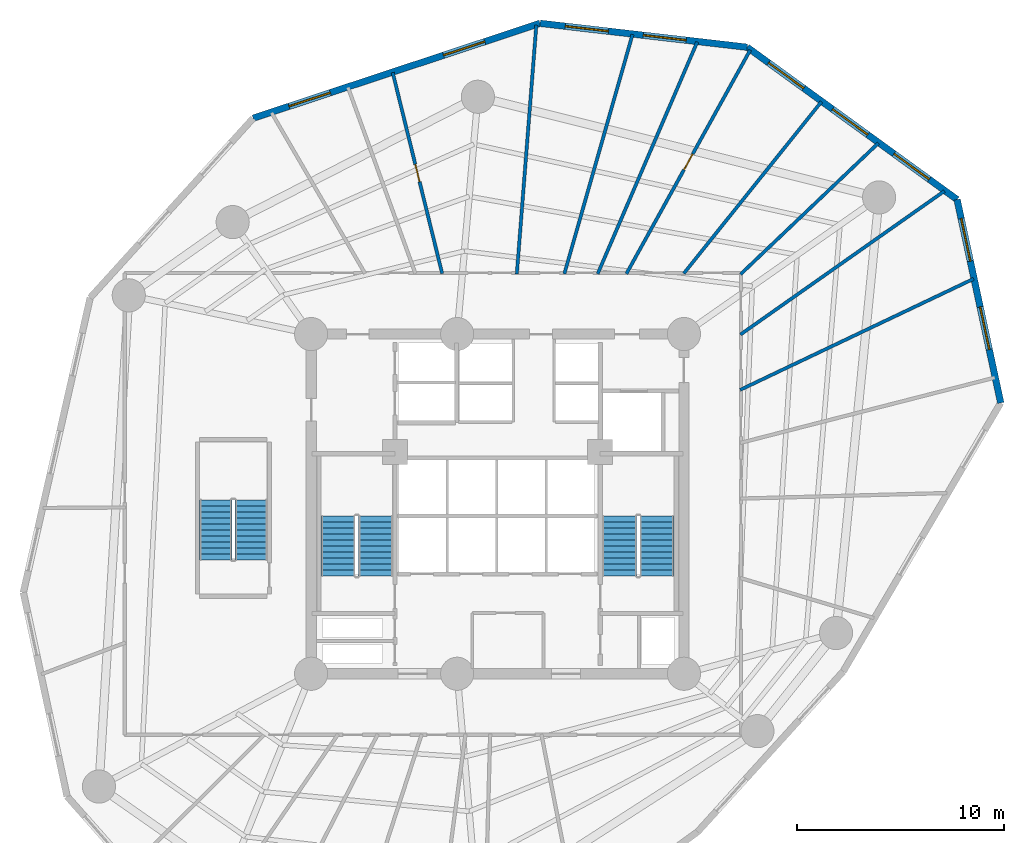
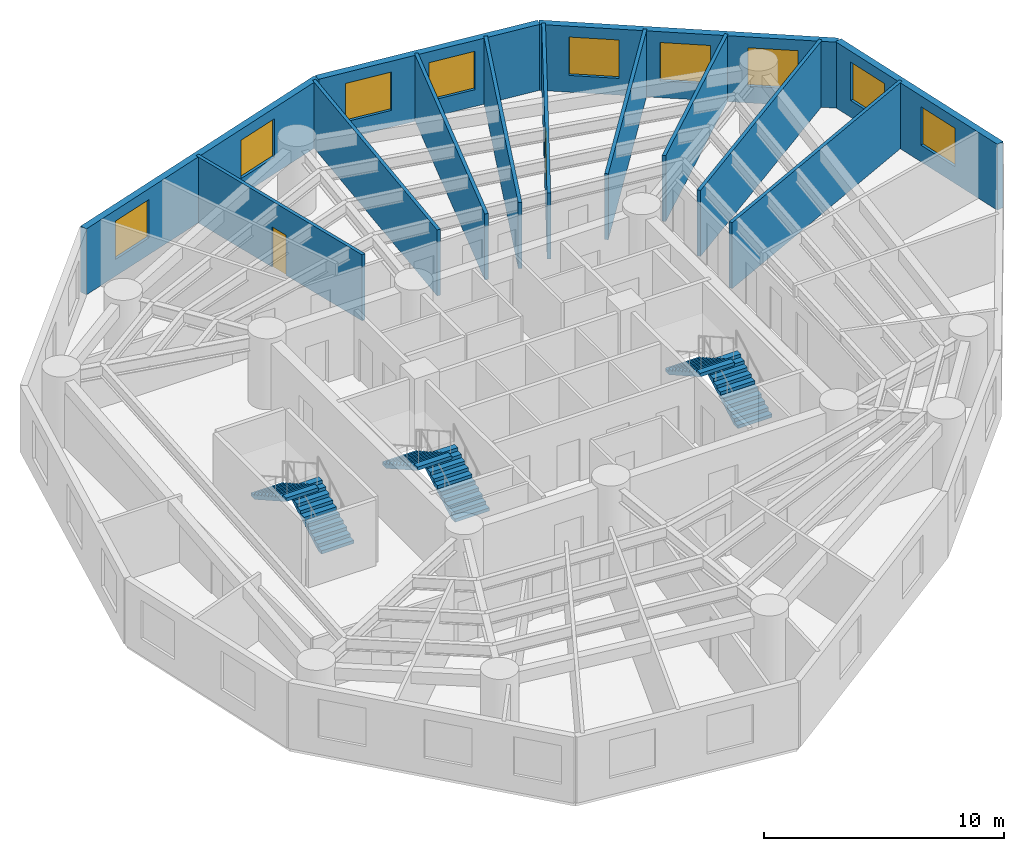
# One storey, part 6 of 7: 13 walls, 9 windows, 6 stair flights, 2 doors, 11 openings, 3 elements without a shape of their own.
"""IFC4 building model written with IfcOpenShell, lengths in metres."""

import ifcopenshell
import ifcopenshell.guid

model = None  # the IFC model being written
_history = None  # IfcOwnerHistory: only IFC2X3 demands one
_inside = {}  # id of a spatial element -> (the spatial element, [elements in it])
_under = {}  # id of a project, library or spatial element -> (it, [spatial elements below it])
_declared = {}  # id of a project -> (the project, [libraries it declares])
_typed = {}  # id of a type object -> (the type object, [elements of that type])
_made_of = {}  # id of a material, layer set ... -> (it, [elements and type objects made of it])


def new_model(schema):
    """Start an empty IFC model of exactly this schema.

    Asked for "IFC4X3", IfcOpenShell would pick the latest addendum, in which some entities
    have other attributes; the version numbers below select the first issue.
    IFC2X3 requires an IfcOwnerHistory on every rooted entity: one is made here for all.
    """
    global model, _history
    if schema == "IFC4X3":
        model = ifcopenshell.file(schema_version=(4, 3, 0, 0))
    else:
        model = ifcopenshell.file(schema=schema)
    _inside.clear()
    _under.clear()
    _declared.clear()
    _typed.clear()
    _made_of.clear()
    _history = None
    if model.schema == "IFC2X3":
        org = make("IfcOrganization", Name="unknown")
        user = make(
            "IfcPersonAndOrganization",
            ThePerson=make("IfcPerson", FamilyName="unknown"),
            TheOrganization=org,
        )
        app = make(
            "IfcApplication",
            ApplicationDeveloper=org,
            Version="unknown",
            ApplicationFullName="unknown",
            ApplicationIdentifier="unknown",
        )
        _history = make(
            "IfcOwnerHistory",
            OwningUser=user,
            OwningApplication=app,
            ChangeAction="ADDED",
            CreationDate=0,
        )
    return model


def make(cls, **values):
    """One entity of the class cls with the attributes given. An attribute that is None is left unset."""
    return model.create_entity(
        cls, **{name: value for name, value in values.items() if value is not None}
    )


def rooted(cls, **values):
    """An entity with a GlobalId (a new one), such as an element, a storey or a relation."""
    return make(cls, GlobalId=ifcopenshell.guid.new(), OwnerHistory=_history, **values)


def si_unit(unit_type, name, prefix=None):
    """IfcSIUnit, for example si_unit("LENGTHUNIT", "METRE", prefix="MILLI")."""
    return make("IfcSIUnit", UnitType=unit_type, Prefix=prefix, Name=name)


def assignment(units):
    """IfcUnitAssignment: the units of a project."""
    return None if units is None else make("IfcUnitAssignment", Units=units)


def point(xyz):
    """IfcCartesianPoint."""
    return None if xyz is None else make("IfcCartesianPoint", Coordinates=xyz)


def direction(xyz):
    """IfcDirection."""
    return None if xyz is None else make("IfcDirection", DirectionRatios=xyz)


def frame(location, z_axis=None, x_axis=None):
    """IfcAxis2Placement3D, a coordinate frame: its origin and axes. An axis left out is left unset."""
    return make(
        "IfcAxis2Placement3D",
        Location=point(location),
        Axis=direction(z_axis),
        RefDirection=direction(x_axis),
    )


def frame_2d(location, x_axis=None):
    """IfcAxis2Placement2D, a coordinate frame in the plane: its origin and x axis."""
    return make(
        "IfcAxis2Placement2D", Location=point(location), RefDirection=direction(x_axis)
    )


def origin():
    """The frame at (0, 0, 0) with its axes left unset."""
    return frame((0.0, 0.0, 0.0))


def origin_with_axes():
    """The frame at (0, 0, 0) with the z axis (0, 0, 1) and the x axis (1, 0, 0) written out."""
    return frame((0.0, 0.0, 0.0), z_axis=(0.0, 0.0, 1.0), x_axis=(1.0, 0.0, 0.0))


def place(relative_to, where):
    """IfcLocalPlacement: puts the frame where relative to a parent placement (None: the world)."""
    return make(
        "IfcLocalPlacement", PlacementRelTo=relative_to, RelativePlacement=where
    )


def context(
    kind, dimensions, precision=None, world=None, true_north=None, identifier=None
):
    """IfcGeometricRepresentationContext, for example the 3D "Model" context."""
    return make(
        "IfcGeometricRepresentationContext",
        ContextIdentifier=identifier,
        ContextType=kind,
        CoordinateSpaceDimension=dimensions,
        Precision=precision,
        WorldCoordinateSystem=world,
        TrueNorth=true_north,
    )


def subcontext(parent, identifier, kind, view, scale=None):
    """IfcGeometricRepresentationSubContext, for example "Body" below "Model"."""
    return make(
        "IfcGeometricRepresentationSubContext",
        ContextIdentifier=identifier,
        ContextType=kind,
        ParentContext=parent,
        TargetScale=scale,
        TargetView=view,
    )


def project(units=None, contexts=None):
    """IfcProject with its units and contexts."""
    return rooted(
        "IfcProject",
        Name="project",
        RepresentationContexts=contexts,
        UnitsInContext=assignment(units),
    )


def spatial(cls, under=None, at=None, **own):
    """A site, building, storey or space (cls), placed at a placement, below another one or the project."""
    s = rooted(cls, ObjectPlacement=at, **own)
    if under is not None:
        _under.setdefault(under.id(), (under, []))[1].append(s)
    return s


def polyline(points):
    """IfcPolyline through the points."""
    return make("IfcPolyline", Points=[point(p) for p in points])


def profile(cls, at=None, kind="AREA", **sizes):
    """A parametric profile (cls). Its sizes go by their IFC names, for example OverallWidth=200.0."""
    return make(cls, ProfileType=kind, Position=at, **sizes)


def rectangle(**sizes):
    """IfcRectangleProfileDef."""
    return profile("IfcRectangleProfileDef", **sizes)


def outline(outer, holes=None, kind="AREA"):
    """IfcArbitraryClosedProfileDef: a profile drawn as a closed curve; with holes, ...WithVoids."""
    if holes is None:
        return make("IfcArbitraryClosedProfileDef", ProfileType=kind, OuterCurve=outer)
    return make(
        "IfcArbitraryProfileDefWithVoids",
        ProfileType=kind,
        OuterCurve=outer,
        InnerCurves=holes,
    )


def extrude(swept, where, along, depth):
    """IfcExtrudedAreaSolid: the profile swept, set in the frame where, extruded along a direction by depth."""
    return make(
        "IfcExtrudedAreaSolid",
        SweptArea=swept,
        Position=where,
        ExtrudedDirection=direction(along),
        Depth=depth,
    )


def shape(context_of_items, identifier, shape_type, items):
    """IfcShapeRepresentation: the items that make up one representation, for example the "Body"."""
    return make(
        "IfcShapeRepresentation",
        ContextOfItems=context_of_items,
        RepresentationIdentifier=identifier,
        RepresentationType=shape_type,
        Items=items,
    )


def source(mapping_origin, context_of_items, identifier, shape_type, items):
    """IfcRepresentationMap: a shape defined once, which mapped items show again and again."""
    return make(
        "IfcRepresentationMap",
        MappingOrigin=mapping_origin,
        MappedRepresentation=shape(context_of_items, identifier, shape_type, items),
    )


def transform(
    local_origin,
    x_axis=None,
    y_axis=None,
    z_axis=None,
    scale=None,
    scale2=None,
    scale3=None,
    uniform=True,
):
    """IfcCartesianTransformationOperator3D, or its non-uniform kind. x_axis, y_axis, z_axis: its Axis1, 2, 3."""
    if uniform:
        return make(
            "IfcCartesianTransformationOperator3D",
            Axis1=direction(x_axis),
            Axis2=direction(y_axis),
            LocalOrigin=point(local_origin),
            Scale=scale,
            Axis3=direction(z_axis),
        )
    return make(
        "IfcCartesianTransformationOperator3DnonUniform",
        Axis1=direction(x_axis),
        Axis2=direction(y_axis),
        LocalOrigin=point(local_origin),
        Scale=scale,
        Axis3=direction(z_axis),
        Scale2=scale2,
        Scale3=scale3,
    )


def mapped(mapping_source, mapping_target):
    """IfcMappedItem: shows the shape of a source again, moved by a transform."""
    return make(
        "IfcMappedItem", MappingSource=mapping_source, MappingTarget=mapping_target
    )


def material(Name=None, Category=None):
    """IfcMaterial."""
    return make("IfcMaterial", Name=Name, Category=Category)


def layer(
    of_material, thickness, ventilated=None, Name=None, Category=None, Priority=None
):
    """IfcMaterialLayer: one layer of a wall or slab, of a material (None: an air gap)."""
    return make(
        "IfcMaterialLayer",
        Material=of_material,
        LayerThickness=thickness,
        IsVentilated=ventilated,
        Name=Name,
        Category=Category,
        Priority=Priority,
    )


def layer_set(layers, Name=None):
    """IfcMaterialLayerSet."""
    return make("IfcMaterialLayerSet", MaterialLayers=layers, LayerSetName=Name)


def made_of(thing, what):
    """Note that an element or type object is made of a material, layer set ...; save() writes the relation."""
    if what is not None:
        _made_of.setdefault(what.id(), (what, []))[1].append(thing)
    return thing


def type_object(cls, material=None, **own):
    """A type object (cls), such as IfcWallType, which elements share."""
    return made_of(rooted(cls, **own), material)


def element(
    cls,
    number,
    at=None,
    inside=None,
    cuts=None,
    type_object=None,
    material=None,
    context=None,
    identifier="Body",
    shape_type=None,
    held_by="IfcProductDefinitionShape",
    body=None,
    shapes=None,
    **own,
):
    """One element of the class cls, such as IfcWall. Its Tag is "e" and its number.

    at: its placement. inside: the storey or other place that contains it. cuts: it is an
    opening in that element (IfcRelVoidsElement). A single representation is given by context,
    identifier, shape_type and body (its items); several are given by shapes. held_by: the class
    of the entity that holds the representations. save() writes the other relations.
    """
    e = rooted(cls, Tag="e%d" % number, ObjectPlacement=at, **own)
    if body is not None:
        shapes = [shape(context, identifier, shape_type, body)]
    if shapes is not None:
        e.Representation = make(held_by, Representations=shapes)
    if inside is not None:
        _inside.setdefault(inside.id(), (inside, []))[1].append(e)
    if cuts is not None:
        rooted(
            "IfcRelVoidsElement", RelatingBuildingElement=cuts, RelatedOpeningElement=e
        )
    if type_object is not None:
        _typed.setdefault(type_object.id(), (type_object, []))[1].append(e)
    return made_of(e, material)


def fill(opening, filler):
    """IfcRelFillsElement: the door or window that sits in an opening."""
    return rooted(
        "IfcRelFillsElement",
        RelatingOpeningElement=opening,
        RelatedBuildingElement=filler,
    )


def aggregate(whole, parts):
    """IfcRelAggregates: a whole, such as a stair, and the parts it consists of."""
    return rooted("IfcRelAggregates", RelatingObject=whole, RelatedObjects=parts)


def save(model, path):
    """Write the relations noted so far, then the file.

    IfcRelAggregates (storeys below a building ...), IfcRelContainedInSpatialStructure (elements
    in a storey), IfcRelDefinesByType, IfcRelAssociatesMaterial and IfcRelDeclares: one each for
    every whole, place, type object, material and project.
    """
    for whole, parts in _under.values():
        aggregate(whole, parts)
    for where, things in _inside.values():
        rooted(
            "IfcRelContainedInSpatialStructure",
            RelatedElements=things,
            RelatingStructure=where,
        )
    for kind, things in _typed.values():
        rooted("IfcRelDefinesByType", RelatedObjects=things, RelatingType=kind)
    for what, things in _made_of.values():
        rooted("IfcRelAssociatesMaterial", RelatedObjects=things, RelatingMaterial=what)
    for by, libraries in _declared.values():
        rooted("IfcRelDeclares", RelatingContext=by, RelatedDefinitions=libraries)
    model.write(path)


model = new_model("IFC4")

# Units and contexts
model_context = context("Model", 3, precision=1e-05, world=origin(), true_north=direction((0.0, 1.0)))
body_context = subcontext(model_context, "Body", "Model", "MODEL_VIEW")
ifc_project = project(units=[si_unit("LENGTHUNIT", "METRE"), si_unit("AREAUNIT", "SQUARE_METRE"), si_unit("VOLUMEUNIT", "CUBIC_METRE"), si_unit("PLANEANGLEUNIT", "RADIAN"), si_unit("MASSUNIT", "GRAM", prefix="KILO")], contexts=[model_context])

# Site, building, storey
site_placement = place(None, origin())
site = spatial("IfcSite", under=ifc_project, at=site_placement, CompositionType="ELEMENT")
building_placement = place(site_placement, origin())
building = spatial("IfcBuilding", under=site, at=building_placement, Name="Karkom Vertical University and Central Library", CompositionType="ELEMENT")
storey_placement = place(building_placement, frame((0.0, 0.0, 80.5)))
storey = spatial("IfcBuildingStorey", under=building, at=storey_placement, Name="L21", CompositionType="ELEMENT", Elevation=80.5)

# Wall, openings, windows
ifc_material_1 = material(Name="Brick-faced precast concrete C45/55", Category="masonry")
ifc_layer_1 = layer(ifc_material_1, 0.320068359375)
ifc_layer_set_1 = layer_set([ifc_layer_1], Name="Brick-faced precast concrete C45/55")
wall_type_1 = type_object("IfcWallType", Name="ENV-WL-BRK-320", PredefinedType="SOLIDWALL", material=ifc_layer_set_1)
wall_1_placement = place(storey_placement, frame((52.793701171875, 31.3759765625, 0.0), z_axis=(0.0, 0.0, 1.0), x_axis=(-0.209779752731, 0.977748666756, 0.0)))
wall_1 = element("IfcWall", 1, at=wall_1_placement, inside=storey, type_object=wall_type_1, Name="Level 21 Brick-Faced Precast Facade Wall 09", PredefinedType="SOLIDWALL", context=body_context, shape_type="SweptSolid", body=[
    extrude(rectangle(XDim=10.04345703125, YDim=0.320068359375, at=frame_2d((5.021728515625, 0.0))), origin(), (0.0, 0.0, 1.0), 3.35009765625),
])
opening_1_placement = place(wall_1_placement, frame((2.63818359375, 0.0, 0.85009765625)))
opening_1 = element("IfcOpeningElement", 2, at=opening_1_placement, cuts=wall_1, Name="Opening WN-03", PredefinedType="OPENING", context=body_context, shape_type="SweptSolid", body=[
    extrude(rectangle(XDim=2.10009765625, YDim=1.949951171875, at=frame_2d((1.050048828125, 0.97509765625))), frame((0.0, 0.169921875, 0.0), z_axis=(0.0, -1.0, 0.0), x_axis=(1.0, 0.0, 0.0)), (0.0, 0.0, 1.0), 0.340087890625),
])
opening_2_placement = place(wall_1_placement, frame((7.003662109375, 0.0, 0.85009765625)))
opening_2 = element("IfcOpeningElement", 3, at=opening_2_placement, cuts=wall_1, Name="Opening WN-03", PredefinedType="OPENING", context=body_context, shape_type="SweptSolid", body=[
    extrude(rectangle(XDim=2.10009765625, YDim=1.949951171875, at=frame_2d((1.050048828125, 0.97509765625))), frame((0.0, 0.169921875, 0.0), z_axis=(0.0, -1.0, 0.0), x_axis=(1.0, 0.0, 0.0)), (0.0, 0.0, 1.0), 0.340087890625),
])
ifc_material_2 = material(Name="Aluminium thermal-break frame with solar-control IGU", Category="aluminium")
window_type = type_object("IfcWindowType", Name="ENV-WIN-WN-03", PartitioningType="SINGLE_PANEL", PredefinedType="WINDOW", material=ifc_material_2)
shared_shape_1 = source(origin_with_axes(), body_context, "Body", "SweptSolid", [
    extrude(rectangle(XDim=2.10009765625, YDim=1.949951171875, at=frame_2d((1.050048828125, 0.97509765625))), frame((0.0, 0.030029296875, 0.0), z_axis=(0.0, -1.0, 0.0), x_axis=(1.0, 0.0, 0.0)), (0.0, 0.0, 1.0), 0.06005859375),
])
window_1_placement = place(opening_1_placement, origin())
window_1 = element("IfcWindow", 4, at=window_1_placement, inside=storey, type_object=window_type, Name="Level 21 Punched Window 9.1", OverallHeight=1.949951171875, OverallWidth=2.10009765625, PartitioningType="SINGLE_PANEL", PredefinedType="WINDOW", context=body_context, shape_type="MappedRepresentation", body=[
    mapped(shared_shape_1, transform((0.0, 0.0, 0.0), scale=1.0)),
])
fill(opening_1, window_1)
window_2_placement = place(opening_2_placement, origin())
window_2 = element("IfcWindow", 5, at=window_2_placement, inside=storey, type_object=window_type, Name="Level 21 Punched Window 9.2", OverallHeight=1.949951171875, OverallWidth=2.10009765625, PartitioningType="SINGLE_PANEL", PredefinedType="WINDOW", context=body_context, shape_type="MappedRepresentation", body=[
    mapped(shared_shape_1, transform((0.0, 0.0, 0.0), scale=1.0)),
])
fill(opening_2, window_2)

wall_2_placement = place(storey_placement, frame((50.686767578125, 41.196044921875, 0.0), z_axis=(0.0, 0.0, 1.0), x_axis=(-0.809418576615, 0.587232124318, 0.0)))
wall_2 = element("IfcWall", 6, at=wall_2_placement, inside=storey, type_object=wall_type_1, Name="Level 21 Brick-Faced Precast Facade Wall 10", PredefinedType="SOLIDWALL", context=body_context, shape_type="SweptSolid", body=[
    extrude(rectangle(XDim=12.519775390625, YDim=0.320068359375, at=frame_2d((6.259765625, 0.0))), origin(), (0.0, 0.0, 1.0), 3.35009765625),
])
opening_3_placement = place(wall_2_placement, frame((1.664306640625, 0.0, 0.85009765625)))
opening_3 = element("IfcOpeningElement", 7, at=opening_3_placement, cuts=wall_2, Name="Opening WN-03", PredefinedType="OPENING", context=body_context, shape_type="SweptSolid", body=[
    extrude(rectangle(XDim=2.10009765625, YDim=1.949951171875, at=frame_2d((1.050048828125, 0.97509765625))), frame((0.0, 0.169921875, 0.0), z_axis=(0.0, -1.0, 0.0), x_axis=(1.0, 0.0, 0.0)), (0.0, 0.0, 1.0), 0.340087890625),
])
opening_4_placement = place(wall_2_placement, frame((5.32861328125, 0.0, 0.85009765625)))
opening_4 = element("IfcOpeningElement", 8, at=opening_4_placement, cuts=wall_2, Name="Opening WN-03", PredefinedType="OPENING", context=body_context, shape_type="SweptSolid", body=[
    extrude(rectangle(XDim=2.10009765625, YDim=1.949951171875, at=frame_2d((1.050048828125, 0.97509765625))), frame((0.0, 0.169921875, 0.0), z_axis=(0.0, -1.0, 0.0), x_axis=(1.0, 0.0, 0.0)), (0.0, 0.0, 1.0), 0.340087890625),
])
opening_5_placement = place(wall_2_placement, frame((9.14599609375, 0.0, 0.85009765625)))
opening_5 = element("IfcOpeningElement", 9, at=opening_5_placement, cuts=wall_2, Name="Opening WN-03", PredefinedType="OPENING", context=body_context, shape_type="SweptSolid", body=[
    extrude(rectangle(XDim=2.10009765625, YDim=1.949951171875, at=frame_2d((1.050048828125, 0.97509765625))), frame((0.0, 0.169921875, 0.0), z_axis=(0.0, -1.0, 0.0), x_axis=(1.0, 0.0, 0.0)), (0.0, 0.0, 1.0), 0.340087890625),
])
window_3_placement = place(opening_3_placement, origin())
window_3 = element("IfcWindow", 10, at=window_3_placement, inside=storey, type_object=window_type, Name="Level 21 Punched Window 10.1", OverallHeight=1.949951171875, OverallWidth=2.10009765625, PartitioningType="SINGLE_PANEL", PredefinedType="WINDOW", context=body_context, shape_type="MappedRepresentation", body=[
    mapped(shared_shape_1, transform((0.0, 0.0, 0.0), scale=1.0)),
])
fill(opening_3, window_3)
window_4_placement = place(opening_4_placement, origin())
window_4 = element("IfcWindow", 11, at=window_4_placement, inside=storey, type_object=window_type, Name="Level 21 Punched Window 10.2", OverallHeight=1.949951171875, OverallWidth=2.10009765625, PartitioningType="SINGLE_PANEL", PredefinedType="WINDOW", context=body_context, shape_type="MappedRepresentation", body=[
    mapped(shared_shape_1, transform((0.0, 0.0, 0.0), scale=1.0)),
])
fill(opening_4, window_4)
window_5_placement = place(opening_5_placement, origin())
window_5 = element("IfcWindow", 12, at=window_5_placement, inside=storey, type_object=window_type, Name="Level 21 Punched Window 10.3", OverallHeight=1.949951171875, OverallWidth=2.10009765625, PartitioningType="SINGLE_PANEL", PredefinedType="WINDOW", context=body_context, shape_type="MappedRepresentation", body=[
    mapped(shared_shape_1, transform((0.0, 0.0, 0.0), scale=1.0)),
])
fill(opening_5, window_5)

wall_3_placement = place(storey_placement, frame((40.552978515625, 48.548095703125, 0.0), z_axis=(0.0, 0.0, 1.0), x_axis=(-0.993393949026, 0.114753919493, 0.0)))
wall_3 = element("IfcWall", 13, at=wall_3_placement, inside=storey, type_object=wall_type_1, Name="Level 21 Brick-Faced Precast Facade Wall 11", PredefinedType="SOLIDWALL", context=body_context, shape_type="SweptSolid", body=[
    extrude(rectangle(XDim=10.065185546875, YDim=0.320068359375, at=frame_2d((5.03271484375, 0.0))), origin(), (0.0, 0.0, 1.0), 3.35009765625),
])
opening_6_placement = place(wall_3_placement, frame((2.956787109375, 0.0, 0.85009765625)))
opening_6 = element("IfcOpeningElement", 14, at=opening_6_placement, cuts=wall_3, Name="Opening WN-03", PredefinedType="OPENING", context=body_context, shape_type="SweptSolid", body=[
    extrude(rectangle(XDim=2.10009765625, YDim=1.949951171875, at=frame_2d((1.050048828125, 0.97509765625))), frame((0.0, 0.169921875, 0.0), z_axis=(0.0, -1.0, 0.0), x_axis=(1.0, 0.0, 0.0)), (0.0, 0.0, 1.0), 0.340087890625),
])
opening_7_placement = place(wall_3_placement, frame((6.74072265625, 0.0, 0.85009765625)))
opening_7 = element("IfcOpeningElement", 15, at=opening_7_placement, cuts=wall_3, Name="Opening WN-03", PredefinedType="OPENING", context=body_context, shape_type="SweptSolid", body=[
    extrude(rectangle(XDim=2.10009765625, YDim=1.949951171875, at=frame_2d((1.050048828125, 0.97509765625))), frame((0.0, 0.169921875, 0.0), z_axis=(0.0, -1.0, 0.0), x_axis=(1.0, 0.0, 0.0)), (0.0, 0.0, 1.0), 0.340087890625),
])
window_6_placement = place(opening_6_placement, origin())
window_6 = element("IfcWindow", 16, at=window_6_placement, inside=storey, type_object=window_type, Name="Level 21 Punched Window 11.1", OverallHeight=1.949951171875, OverallWidth=2.10009765625, PartitioningType="SINGLE_PANEL", PredefinedType="WINDOW", context=body_context, shape_type="MappedRepresentation", body=[
    mapped(shared_shape_1, transform((0.0, 0.0, 0.0), scale=1.0)),
])
fill(opening_6, window_6)
window_7_placement = place(opening_7_placement, origin())
window_7 = element("IfcWindow", 17, at=window_7_placement, inside=storey, type_object=window_type, Name="Level 21 Punched Window 11.2", OverallHeight=1.949951171875, OverallWidth=2.10009765625, PartitioningType="SINGLE_PANEL", PredefinedType="WINDOW", context=body_context, shape_type="MappedRepresentation", body=[
    mapped(shared_shape_1, transform((0.0, 0.0, 0.0), scale=1.0)),
])
fill(opening_7, window_7)

wall_4_placement = place(storey_placement, frame((30.55419921875, 49.703125, 0.0), z_axis=(0.0, 0.0, 1.0), x_axis=(-0.94943019197, -0.313978200798, 0.0)))
wall_4 = element("IfcWall", 18, at=wall_4_placement, inside=storey, type_object=wall_type_1, Name="Level 21 Brick-Faced Precast Facade Wall 12", PredefinedType="SOLIDWALL", context=body_context, shape_type="SweptSolid", body=[
    extrude(rectangle(XDim=14.591796875, YDim=0.320068359375, at=frame_2d((7.2958984375, 0.0))), origin(), (0.0, 0.0, 1.0), 3.35009765625),
])
opening_8_placement = place(wall_4_placement, frame((2.8095703125, 0.0, 0.85009765625)))
opening_8 = element("IfcOpeningElement", 19, at=opening_8_placement, cuts=wall_4, Name="Opening WN-03", PredefinedType="OPENING", context=body_context, shape_type="SweptSolid", body=[
    extrude(rectangle(XDim=2.10009765625, YDim=1.949951171875, at=frame_2d((1.050048828125, 0.97509765625))), frame((0.0, 0.169921875, 0.0), z_axis=(0.0, -1.0, 0.0), x_axis=(1.0, 0.0, 0.0)), (0.0, 0.0, 1.0), 0.340087890625),
])
opening_9_placement = place(wall_4_placement, frame((10.665771484375, 0.0, 0.85009765625)))
opening_9 = element("IfcOpeningElement", 20, at=opening_9_placement, cuts=wall_4, Name="Opening WN-03", PredefinedType="OPENING", context=body_context, shape_type="SweptSolid", body=[
    extrude(rectangle(XDim=2.10009765625, YDim=1.949951171875, at=frame_2d((1.050048828125, 0.97509765625))), frame((0.0, 0.169921875, 0.0), z_axis=(0.0, -1.0, 0.0), x_axis=(1.0, 0.0, 0.0)), (0.0, 0.0, 1.0), 0.340087890625),
])
window_8_placement = place(opening_8_placement, origin())
window_8 = element("IfcWindow", 21, at=window_8_placement, inside=storey, type_object=window_type, Name="Level 21 Punched Window 12.1", OverallHeight=1.949951171875, OverallWidth=2.10009765625, PartitioningType="SINGLE_PANEL", PredefinedType="WINDOW", context=body_context, shape_type="MappedRepresentation", body=[
    mapped(shared_shape_1, transform((0.0, 0.0, 0.0), scale=1.0)),
])
fill(opening_8, window_8)
window_9_placement = place(opening_9_placement, origin())
window_9 = element("IfcWindow", 22, at=window_9_placement, inside=storey, type_object=window_type, Name="Level 21 Punched Window 12.2", OverallHeight=1.949951171875, OverallWidth=2.10009765625, PartitioningType="SINGLE_PANEL", PredefinedType="WINDOW", context=body_context, shape_type="MappedRepresentation", body=[
    mapped(shared_shape_1, transform((0.0, 0.0, 0.0), scale=1.0)),
])
fill(opening_9, window_9)

# Wall
ifc_material_3 = material(Name="Insulated metal-stud drywall 160mm", Category="gypsum")
ifc_layer_2 = layer(ifc_material_3, 0.159912109375)
ifc_layer_set_2 = layer_set([ifc_layer_2], Name="Insulated metal-stud drywall 160mm")
wall_type_2 = type_object("IfcWallType", Name="INT-WL-COR-160", PredefinedType="PARTITIONING", material=ifc_layer_set_2)
wall_5_placement = place(storey_placement, frame((40.20947265625, 32.003662109375, 0.0), z_axis=(0.0, 0.0, 1.0), x_axis=(0.903036874889, 0.429563036806, 0.0)))
element("IfcWall", 23, at=wall_5_placement, inside=storey, type_object=wall_type_2, Name="Level 21 Interior Partition Wall L21-PW-015", PredefinedType="PARTITIONING", context=body_context, shape_type="SweptSolid", body=[
    extrude(rectangle(XDim=12.48193359375, YDim=0.159912109375, at=frame_2d((6.240966796875, 0.0))), origin(), (0.0, 0.0, 1.0), 3.35009765625),
])

# Wall, opening, door
wall_6_placement = place(storey_placement, frame((34.719482421875, 37.610595703125, 0.0), z_axis=(0.0, 0.0, 1.0), x_axis=(0.484347780064, 0.874875549977, 0.0)))
wall_6 = element("IfcWall", 24, at=wall_6_placement, inside=storey, type_object=wall_type_2, Name="Level 21 Interior Partition Wall L21-PW-019", PredefinedType="PARTITIONING", context=body_context, shape_type="SweptSolid", body=[
    extrude(rectangle(XDim=12.344970703125, YDim=0.159912109375, at=frame_2d((6.17236328125, 0.0))), origin(), (0.0, 0.0, 1.0), 3.35009765625),
])
opening_10_placement = place(wall_6_placement, frame((5.742431640625, 0.0, 0.0)))
opening_10 = element("IfcOpeningElement", 25, at=opening_10_placement, cuts=wall_6, Name="Opening FD-BTH2", PredefinedType="OPENING", context=body_context, shape_type="SweptSolid", body=[
    extrude(rectangle(XDim=0.860107421875, YDim=2.0400390625, at=frame_2d((0.43017578125, 1.02001953125))), frame((0.0, 0.08984375, 0.0), z_axis=(0.0, -1.0, 0.0), x_axis=(1.0, 0.0, 0.0)), (0.0, 0.0, 1.0), 0.179931640625),
])
ifc_material_4 = material(Name="Fire-rated moisture-resistant oak door", Category="wood")
door_type = type_object("IfcDoorType", Name="INT-DR-FBTH2", OperationType="NOTDEFINED", PredefinedType="DOOR", material=ifc_material_4)
shared_shape_2 = source(origin_with_axes(), body_context, "Body", "SweptSolid", [
    extrude(rectangle(XDim=0.860107421875, YDim=2.0400390625, at=frame_2d((0.43017578125, 1.02001953125))), frame((0.0, 0.02490234375, 0.0), z_axis=(0.0, -1.0, 0.0), x_axis=(1.0, 0.0, 0.0)), (0.0, 0.0, 1.0), 0.050048828125),
])
door_1_placement = place(opening_10_placement, origin())
door_1 = element("IfcDoor", 26, at=door_1_placement, inside=storey, type_object=door_type, Name="Level 21 Faculty Consultation and Research Office Entry Door", OperationType="SINGLE_SWING_RIGHT", OverallHeight=2.0400390625, OverallWidth=0.860107421875, PredefinedType="DOOR", context=body_context, shape_type="MappedRepresentation", body=[
    mapped(shared_shape_2, transform((0.0, 0.0, 0.0), scale=1.0)),
])
fill(opening_10, door_1)

# Walls
wall_7_placement = place(storey_placement, frame((33.33447265625, 37.608642578125, 0.0), z_axis=(0.0, 0.0, 1.0), x_axis=(0.394504729037, 0.918893910507, 0.0)))
element("IfcWall", 27, at=wall_7_placement, inside=storey, type_object=wall_type_2, Name="Level 21 Interior Partition Wall L21-PW-020", PredefinedType="PARTITIONING", context=body_context, shape_type="SweptSolid", body=[
    extrude(rectangle(XDim=12.178466796875, YDim=0.159912109375, at=frame_2d((6.08935546875, 0.0))), origin(), (0.0, 0.0, 1.0), 3.35009765625),
])
wall_8_placement = place(storey_placement, frame((40.2255859375, 34.67578125, 0.0), z_axis=(0.0, 0.0, 1.0), x_axis=(0.81787143791, 0.575401000217, 0.0)))
element("IfcWall", 28, at=wall_8_placement, inside=storey, type_object=wall_type_2, Name="Level 21 Interior Partition Wall L21-PW-016", PredefinedType="PARTITIONING", context=body_context, shape_type="SweptSolid", body=[
    extrude(rectangle(XDim=12.04248046875, YDim=0.159912109375, at=frame_2d((6.021240234375, 0.0))), origin(), (0.0, 0.0, 1.0), 3.35009765625),
])
wall_9_placement = place(storey_placement, frame((29.43115234375, 37.60498046875, 0.0), z_axis=(0.0, 0.0, 1.0), x_axis=(0.078187689843, 0.996938656667, 0.0)))
element("IfcWall", 29, at=wall_9_placement, inside=storey, type_object=wall_type_2, Name="Level 21 Interior Partition Wall L21-PW-022", PredefinedType="PARTITIONING", context=body_context, shape_type="SweptSolid", body=[
    extrude(rectangle(XDim=12.04345703125, YDim=0.159912109375, at=frame_2d((6.021728515625, 0.0))), origin(), (0.0, 0.0, 1.0), 3.35009765625),
])
wall_10_placement = place(storey_placement, frame((31.7255859375, 37.606689453125, 0.0), z_axis=(0.0, 0.0, 1.0), x_axis=(0.273883653666, 0.961762831604, 0.0)))
element("IfcWall", 30, at=wall_10_placement, inside=storey, type_object=wall_type_2, Name="Level 21 Interior Partition Wall L21-PW-021", PredefinedType="PARTITIONING", context=body_context, shape_type="SweptSolid", body=[
    extrude(rectangle(XDim=12.014404296875, YDim=0.159912109375, at=frame_2d((6.00732421875, 0.0))), origin(), (0.0, 0.0, 1.0), 3.35009765625),
])
wall_11_placement = place(storey_placement, frame((37.49365234375, 37.626708984375, 0.0), z_axis=(0.0, 0.0, 1.0), x_axis=(0.625370218402, 0.780328193734, 0.0)))
element("IfcWall", 31, at=wall_11_placement, inside=storey, type_object=wall_type_2, Name="Level 21 Interior Partition Wall L21-PW-018", PredefinedType="PARTITIONING", context=body_context, shape_type="SweptSolid", body=[
    extrude(rectangle(XDim=10.623779296875, YDim=0.159912109375, at=frame_2d((5.31201171875, 0.0))), origin(), (0.0, 0.0, 1.0), 3.35009765625),
])

# Wall, opening, door
wall_12_placement = place(storey_placement, frame((25.826416015625, 37.620849609375, 0.0), z_axis=(0.0, 0.0, 1.0), x_axis=(-0.238860262705, 0.971053950561, 0.0)))
wall_12 = element("IfcWall", 32, at=wall_12_placement, inside=storey, type_object=wall_type_2, Name="Level 21 Interior Partition Wall L21-PW-023", PredefinedType="PARTITIONING", context=body_context, shape_type="SweptSolid", body=[
    extrude(rectangle(XDim=9.9921875, YDim=0.159912109375, at=frame_2d((4.99609375, 0.0))), origin(), (0.0, 0.0, 1.0), 3.35009765625),
])
opening_11_placement = place(wall_12_placement, frame((4.566162109375, 0.0, 0.0)))
opening_11 = element("IfcOpeningElement", 33, at=opening_11_placement, cuts=wall_12, Name="Opening FD-BTH2", PredefinedType="OPENING", context=body_context, shape_type="SweptSolid", body=[
    extrude(rectangle(XDim=0.860107421875, YDim=2.0400390625, at=frame_2d((0.43017578125, 1.02001953125))), frame((0.0, 0.08984375, 0.0), z_axis=(0.0, -1.0, 0.0), x_axis=(1.0, 0.0, 0.0)), (0.0, 0.0, 1.0), 0.179931640625),
])
door_2_placement = place(opening_11_placement, origin())
door_2 = element("IfcDoor", 34, at=door_2_placement, inside=storey, type_object=door_type, Name="Level 21 Academic Collaborative Study Lounge Entry Door", OperationType="SINGLE_SWING_LEFT", OverallHeight=2.0400390625, OverallWidth=0.860107421875, PredefinedType="DOOR", context=body_context, shape_type="MappedRepresentation", body=[
    mapped(shared_shape_2, transform((0.0, 0.0, 0.0), scale=1.0)),
])
fill(opening_11, door_2)

# Wall
wall_13_placement = place(storey_placement, frame((40.228271484375, 37.581787109375, 0.0), z_axis=(0.0, 0.0, 1.0), x_axis=(0.724286955836, 0.689498662511, 0.0)))
element("IfcWall", 35, at=wall_13_placement, inside=storey, type_object=wall_type_2, Name="Level 21 Interior Partition Wall L21-PW-017", PredefinedType="PARTITIONING", context=body_context, shape_type="SweptSolid", body=[
    extrude(rectangle(XDim=9.193359375, YDim=0.159912109375, at=frame_2d((4.5966796875, 0.0))), origin(), (0.0, 0.0, 1.0), 3.35009765625),
])

# Stair, stair flights
ifc_material_5 = material(Name="Concrete C45/55", Category="concrete")
stair_type_1 = type_object("IfcStairType", Name="INT-STR-ST-MAIN", PredefinedType="HALF_TURN_STAIR", material=ifc_material_5)
stair_1_placement = place(storey_placement, origin())
stair_1 = element("IfcStair", 36, at=stair_1_placement, inside=storey, type_object=stair_type_1, Name="Level 21 Tower Protected Exit Stair ST-1", PredefinedType="HALF_TURN_STAIR")
stair_flight_type_1 = type_object("IfcStairFlightType", Name="INT-SFL-ST-MAIN", PredefinedType="STRAIGHT", material=ifc_material_5)
stair_flight_1_placement = place(storey_placement, frame((22.614990234375, 23.02001953125, 0.0), z_axis=(0.0, 0.0, 1.0), x_axis=(0.0, 1.0, 0.0)))
stair_flight_1 = element("IfcStairFlight", 37, at=stair_flight_1_placement, type_object=stair_flight_type_1, Name="ST-1 flight 1", NumberOfRisers=11, NumberOfTreads=10, PredefinedType="STRAIGHT", RiserHeight=0.163636364, TreadLength=0.29, context=body_context, shape_type="SweptSolid", body=[
    extrude(outline(polyline([(0.0, 0.0), (0.0, 0.16357421875), (0.2900390625, 0.16357421875), (0.2900390625, 0.327392578125), (0.580078125, 0.327392578125), (0.580078125, 0.490966796875), (0.8701171875, 0.490966796875), (0.8701171875, 0.654541015625), (1.159912109375, 0.654541015625), (1.159912109375, 0.818115234375), (1.449951171875, 0.818115234375), (1.449951171875, 0.98193359375), (1.739990234375, 0.98193359375), (1.739990234375, 1.1455078125), (2.030029296875, 1.1455078125), (2.030029296875, 1.30908203125), (2.320068359375, 1.30908203125), (2.320068359375, 1.47265625), (2.610107421875, 1.47265625), (2.610107421875, 1.636474609375), (2.89990234375, 1.636474609375), (2.89990234375, 1.800048828125), (2.89990234375, 1.46435546875), (0.304931640625, 0.0), (0.0, 0.0)])), frame((0.0, 0.824951171875, 0.0), z_axis=(0.0, -1.0, 0.0), x_axis=(1.0, 0.0, 0.0)), (0.0, 0.0, 1.0), 1.64990234375),
])
stair_flight_2_placement = place(storey_placement, frame((20.804931640625, 25.919921875, 1.800048828125), z_axis=(0.0, 0.0, 1.0), x_axis=(0.0, -1.0, 0.0)))
stair_flight_2 = element("IfcStairFlight", 38, at=stair_flight_2_placement, type_object=stair_flight_type_1, Name="ST-1 flight 2", NumberOfRisers=11, NumberOfTreads=10, PredefinedType="STRAIGHT", RiserHeight=0.163636364, TreadLength=0.29, context=body_context, shape_type="SweptSolid", body=[
    extrude(outline(polyline([(0.0, 0.0), (0.0, 0.16357421875), (0.2900390625, 0.16357421875), (0.2900390625, 0.327392578125), (0.580078125, 0.327392578125), (0.580078125, 0.490966796875), (0.8701171875, 0.490966796875), (0.8701171875, 0.654541015625), (1.159912109375, 0.654541015625), (1.159912109375, 0.818115234375), (1.449951171875, 0.818115234375), (1.449951171875, 0.98193359375), (1.739990234375, 0.98193359375), (1.739990234375, 1.1455078125), (2.030029296875, 1.1455078125), (2.030029296875, 1.30908203125), (2.320068359375, 1.30908203125), (2.320068359375, 1.47265625), (2.610107421875, 1.47265625), (2.610107421875, 1.636474609375), (2.89990234375, 1.636474609375), (2.89990234375, 1.800048828125), (2.89990234375, 1.46435546875), (0.304931640625, 0.0), (0.0, 0.0)])), frame((0.0, 0.824951171875, 0.0), z_axis=(0.0, -1.0, 0.0), x_axis=(1.0, 0.0, 0.0)), (0.0, 0.0, 1.0), 1.64990234375),
])
aggregate(stair_1, [stair_flight_1, stair_flight_2])

stair_2_placement = place(storey_placement, origin())
stair_2 = element("IfcStair", 39, at=stair_2_placement, inside=storey, type_object=stair_type_1, Name="Level 21 Tower Protected Exit Stair ST-2", PredefinedType="HALF_TURN_STAIR")
stair_flight_3_placement = place(storey_placement, frame((36.195068359375, 23.02001953125, 0.0), z_axis=(0.0, 0.0, 1.0), x_axis=(0.0, 1.0, 0.0)))
stair_flight_3 = element("IfcStairFlight", 40, at=stair_flight_3_placement, type_object=stair_flight_type_1, Name="ST-2 flight 1", NumberOfRisers=11, NumberOfTreads=10, PredefinedType="STRAIGHT", RiserHeight=0.163636364, TreadLength=0.29, context=body_context, shape_type="SweptSolid", body=[
    extrude(outline(polyline([(0.0, 0.0), (0.0, 0.16357421875), (0.2900390625, 0.16357421875), (0.2900390625, 0.327392578125), (0.580078125, 0.327392578125), (0.580078125, 0.490966796875), (0.8701171875, 0.490966796875), (0.8701171875, 0.654541015625), (1.159912109375, 0.654541015625), (1.159912109375, 0.818115234375), (1.449951171875, 0.818115234375), (1.449951171875, 0.98193359375), (1.739990234375, 0.98193359375), (1.739990234375, 1.1455078125), (2.030029296875, 1.1455078125), (2.030029296875, 1.30908203125), (2.320068359375, 1.30908203125), (2.320068359375, 1.47265625), (2.610107421875, 1.47265625), (2.610107421875, 1.636474609375), (2.89990234375, 1.636474609375), (2.89990234375, 1.800048828125), (2.89990234375, 1.46435546875), (0.304931640625, 0.0), (0.0, 0.0)])), frame((0.0, 0.824951171875, 0.0), z_axis=(0.0, -1.0, 0.0), x_axis=(1.0, 0.0, 0.0)), (0.0, 0.0, 1.0), 1.64990234375),
])
stair_flight_4_placement = place(storey_placement, frame((34.385009765625, 25.919921875, 1.800048828125), z_axis=(0.0, 0.0, 1.0), x_axis=(0.0, -1.0, 0.0)))
stair_flight_4 = element("IfcStairFlight", 41, at=stair_flight_4_placement, type_object=stair_flight_type_1, Name="ST-2 flight 2", NumberOfRisers=11, NumberOfTreads=10, PredefinedType="STRAIGHT", RiserHeight=0.163636364, TreadLength=0.29, context=body_context, shape_type="SweptSolid", body=[
    extrude(outline(polyline([(0.0, 0.0), (0.0, 0.16357421875), (0.2900390625, 0.16357421875), (0.2900390625, 0.327392578125), (0.580078125, 0.327392578125), (0.580078125, 0.490966796875), (0.8701171875, 0.490966796875), (0.8701171875, 0.654541015625), (1.159912109375, 0.654541015625), (1.159912109375, 0.818115234375), (1.449951171875, 0.818115234375), (1.449951171875, 0.98193359375), (1.739990234375, 0.98193359375), (1.739990234375, 1.1455078125), (2.030029296875, 1.1455078125), (2.030029296875, 1.30908203125), (2.320068359375, 1.30908203125), (2.320068359375, 1.47265625), (2.610107421875, 1.47265625), (2.610107421875, 1.636474609375), (2.89990234375, 1.636474609375), (2.89990234375, 1.800048828125), (2.89990234375, 1.46435546875), (0.304931640625, 0.0), (0.0, 0.0)])), frame((0.0, 0.824951171875, 0.0), z_axis=(0.0, -1.0, 0.0), x_axis=(1.0, 0.0, 0.0)), (0.0, 0.0, 1.0), 1.64990234375),
])
aggregate(stair_2, [stair_flight_3, stair_flight_4])

stair_type_2 = type_object("IfcStairType", Name="INT-STR-ST-SEC", PredefinedType="HALF_TURN_STAIR", material=ifc_material_5)
stair_3_placement = place(storey_placement, origin())
stair_3 = element("IfcStair", 42, at=stair_3_placement, inside=storey, type_object=stair_type_2, Name="Level 21 Academic Zone Protected Exit Stair ST-3", PredefinedType="HALF_TURN_STAIR")
stair_flight_type_2 = type_object("IfcStairFlightType", Name="INT-SFL-ST-SEC", PredefinedType="STRAIGHT", material=ifc_material_5)
stair_flight_5_placement = place(storey_placement, frame((16.60498046875, 23.800048828125, 0.0), z_axis=(0.0, 0.0, 1.0), x_axis=(0.0, 1.0, 0.0)))
stair_flight_5 = element("IfcStairFlight", 43, at=stair_flight_5_placement, type_object=stair_flight_type_2, Name="ST-3 flight 1", NumberOfRisers=11, NumberOfTreads=10, PredefinedType="STRAIGHT", RiserHeight=0.163636364, TreadLength=0.29, context=body_context, shape_type="SweptSolid", body=[
    extrude(outline(polyline([(0.0, 0.0), (0.0, 0.16357421875), (0.2900390625, 0.16357421875), (0.2900390625, 0.327392578125), (0.580078125, 0.327392578125), (0.580078125, 0.490966796875), (0.8701171875, 0.490966796875), (0.8701171875, 0.654541015625), (1.159912109375, 0.654541015625), (1.159912109375, 0.818115234375), (1.449951171875, 0.818115234375), (1.449951171875, 0.98193359375), (1.739990234375, 0.98193359375), (1.739990234375, 1.1455078125), (2.030029296875, 1.1455078125), (2.030029296875, 1.30908203125), (2.320068359375, 1.30908203125), (2.320068359375, 1.47265625), (2.610107421875, 1.47265625), (2.610107421875, 1.636474609375), (2.89990234375, 1.636474609375), (2.89990234375, 1.800048828125), (2.89990234375, 1.46435546875), (0.304931640625, 0.0), (0.0, 0.0)])), frame((0.0, 0.77490234375, 0.0), z_axis=(0.0, -1.0, 0.0), x_axis=(1.0, 0.0, 0.0)), (0.0, 0.0, 1.0), 1.550048828125),
])
stair_flight_6_placement = place(storey_placement, frame((14.89501953125, 26.699951171875, 1.800048828125), z_axis=(0.0, 0.0, 1.0), x_axis=(0.0, -1.0, 0.0)))
stair_flight_6 = element("IfcStairFlight", 44, at=stair_flight_6_placement, type_object=stair_flight_type_2, Name="ST-3 flight 2", NumberOfRisers=11, NumberOfTreads=10, PredefinedType="STRAIGHT", RiserHeight=0.163636364, TreadLength=0.29, context=body_context, shape_type="SweptSolid", body=[
    extrude(outline(polyline([(0.0, 0.0), (0.0, 0.16357421875), (0.2900390625, 0.16357421875), (0.2900390625, 0.327392578125), (0.580078125, 0.327392578125), (0.580078125, 0.490966796875), (0.8701171875, 0.490966796875), (0.8701171875, 0.654541015625), (1.159912109375, 0.654541015625), (1.159912109375, 0.818115234375), (1.449951171875, 0.818115234375), (1.449951171875, 0.98193359375), (1.739990234375, 0.98193359375), (1.739990234375, 1.1455078125), (2.030029296875, 1.1455078125), (2.030029296875, 1.30908203125), (2.320068359375, 1.30908203125), (2.320068359375, 1.47265625), (2.610107421875, 1.47265625), (2.610107421875, 1.636474609375), (2.89990234375, 1.636474609375), (2.89990234375, 1.800048828125), (2.89990234375, 1.46435546875), (0.304931640625, 0.0), (0.0, 0.0)])), frame((0.0, 0.77490234375, 0.0), z_axis=(0.0, -1.0, 0.0), x_axis=(1.0, 0.0, 0.0)), (0.0, 0.0, 1.0), 1.550048828125),
])
aggregate(stair_3, [stair_flight_5, stair_flight_6])

save(model, "model.ifc")
